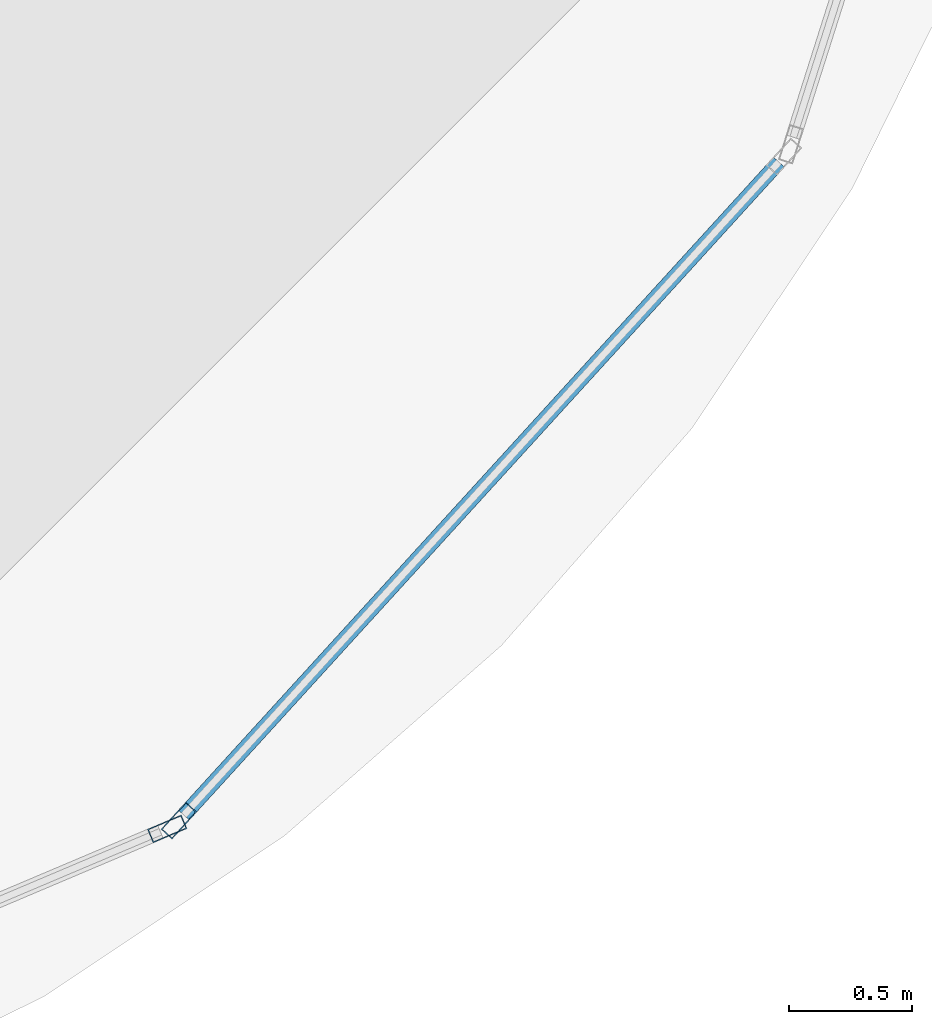
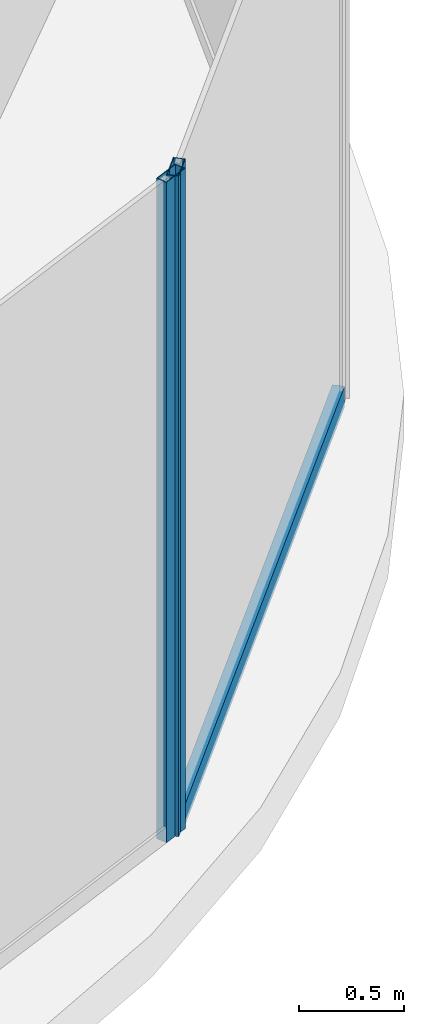
# One storey, part 17 of 39: 3 members, 2 elements without a shape of their own.
"""IFC4 building model written with IfcOpenShell, lengths in metres."""

from ifc_helpers import new_model, si_unit, direction, frame, origin, origin_2d, place, context, subcontext, project, spatial, hollow_rectangle, extrude, material, material_profile, profile_set, type_object, element, aggregate, save


model = new_model("IFC4")

# Units and contexts
model_context = context("Model", 3, precision=1e-05, world=origin(), true_north=direction((0.0, 1.0)))
body_context = subcontext(model_context, "Body", "Model", "MODEL_VIEW")
ifc_project = project(units=[si_unit("LENGTHUNIT", "METRE"), si_unit("AREAUNIT", "SQUARE_METRE"), si_unit("VOLUMEUNIT", "CUBIC_METRE"), si_unit("PLANEANGLEUNIT", "RADIAN"), si_unit("MASSUNIT", "GRAM", prefix="KILO")], contexts=[model_context])

# Site, building, storey
site_placement = place(None, origin())
site = spatial("IfcSite", under=ifc_project, at=site_placement, CompositionType="ELEMENT")
building_placement = place(site_placement, origin())
building = spatial("IfcBuilding", under=site, at=building_placement, Name="Zorevar Civic Tower", CompositionType="ELEMENT")
storey_placement = place(building_placement, frame((0.0, 0.0, 230.199951171875)))
storey = spatial("IfcBuildingStorey", under=building, at=storey_placement, Name="L56", CompositionType="ELEMENT", Elevation=230.199951171875)

# Curtain wall, member
ifc_material_1 = material(Name="Dark grey solar-control glass in black aluminium frame", Category="aluminium")
curtain_wall_type = type_object("IfcCurtainWallType", Name="Curtain wall CW4 high zone", PredefinedType="NOTDEFINED", material=ifc_material_1)
curtain_wall_1_placement = place(storey_placement, origin())
curtain_wall_1 = element("IfcCurtainWall", 1, at=curtain_wall_1_placement, inside=storey, type_object=curtain_wall_type, Name="CW4 L56", PredefinedType="NOTDEFINED")
ifc_material_2 = material(Name="Aluminium, black anodised", Category="aluminium")
ifc_material_profile_1 = material_profile(ifc_material_2, hollow_rectangle(XDim=0.06005859375, YDim=0.14990234375, WallThickness=0.00390625, at=origin_2d()), Name="AL 150x60x4")
ifc_profile_set_1 = profile_set([ifc_material_profile_1], Name="Aluminium, black anodised")
member_type_1 = type_object("IfcMemberType", Name="CW4 mullion AL 150x60x4", PredefinedType="MULLION", material=ifc_profile_set_1)
member_1_placement = place(storey_placement, frame((50.00048828125, 1.888427734375, 0.0), z_axis=(0.0, 0.0, 1.0), x_axis=(-0.389965213734, 0.920829589054, 0.0)))
member_1 = element("IfcMember", 2, at=member_1_placement, type_object=member_type_1, Name="CW4 mullion 2", PredefinedType="MULLION", context=body_context, shape_type="SweptSolid", body=[
    extrude(hollow_rectangle(XDim=0.06005859375, YDim=0.14990234375, WallThickness=0.00390625, at=origin_2d()), origin(), (0.0, 0.0, 1.0), 3.85009765625),
])
aggregate(curtain_wall_1, [member_1])

# Curtain wall, members
curtain_wall_2_placement = place(storey_placement, origin())
curtain_wall_2 = element("IfcCurtainWall", 3, at=curtain_wall_2_placement, inside=storey, type_object=curtain_wall_type, Name="CW4 L56", PredefinedType="NOTDEFINED")
member_2_placement = place(storey_placement, frame((50.04833984375, 1.92236328125, 0.0), z_axis=(0.0, 0.0, 1.0), x_axis=(-0.739157439623, 0.673532686252, 0.0)))
member_2 = element("IfcMember", 4, at=member_2_placement, type_object=member_type_1, Name="CW4 mullion 1", PredefinedType="MULLION", context=body_context, shape_type="SweptSolid", body=[
    extrude(hollow_rectangle(XDim=0.06005859375, YDim=0.14990234375, WallThickness=0.00390625, at=origin_2d()), origin(), (0.0, 0.0, 1.0), 3.85009765625),
])
ifc_material_3 = material(Name="Aluminium, black anodised", Category="aluminium")
ifc_material_profile_2 = material_profile(ifc_material_3, hollow_rectangle(XDim=0.06005859375, YDim=0.1201171875, WallThickness=0.0029296875, at=origin_2d()), Name="AL 120x60x3")
ifc_profile_set_2 = profile_set([ifc_material_profile_2], Name="Aluminium, black anodised")
member_type_2 = type_object("IfcMemberType", Name="CW4 transom AL 120x60x3", PredefinedType="USERDEFINED", material=ifc_profile_set_2)
member_3_placement = place(storey_placement, frame((50.068603515625, 1.944580078125, 0.030029296875), z_axis=(0.673512212278, 0.739176095334, 0.0), x_axis=(-0.739176095334, 0.673512212278, 0.0)))
member_3 = element("IfcMember", 5, at=member_3_placement, type_object=member_type_2, Name="CW4 sill transom", ObjectType="TRANSOM", PredefinedType="USERDEFINED", context=body_context, shape_type="SweptSolid", body=[
    extrude(hollow_rectangle(XDim=0.06005859375, YDim=0.1201171875, WallThickness=0.0029296875, at=origin_2d()), origin(), (0.0, 0.0, 1.0), 3.602783203125),
])
aggregate(curtain_wall_2, [member_2, member_3])

save(model, "model.ifc")
